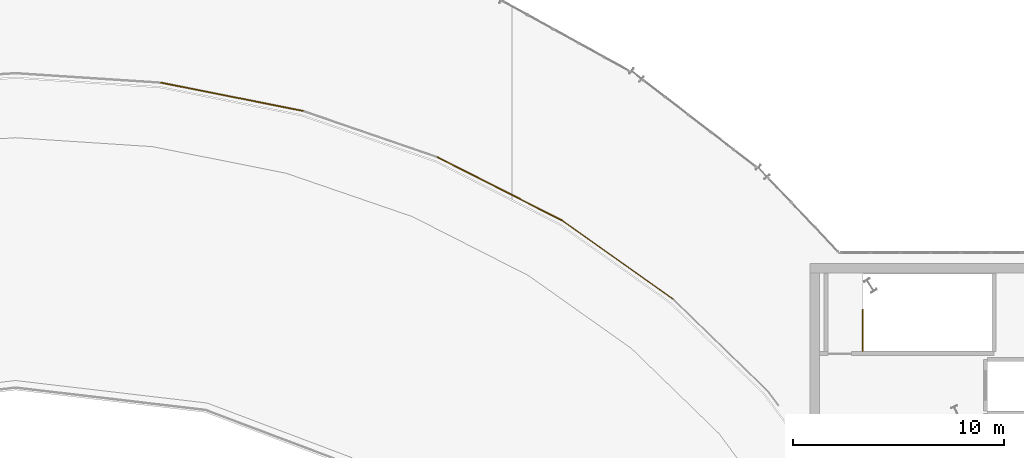
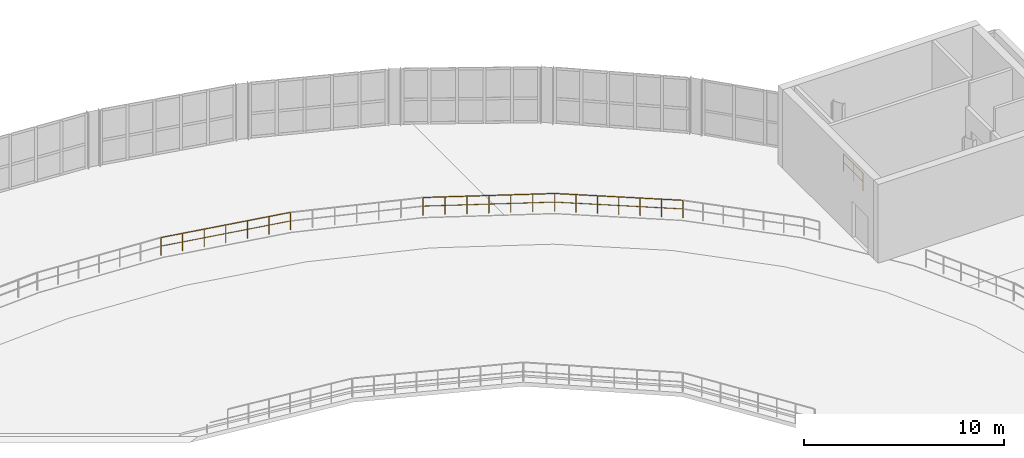
# One storey, part 40 of 40: 4 railings.
"""IFC4 building model written with IfcOpenShell, lengths in metres."""

from ifc_helpers import new_model, si_unit, direction, frame, origin, origin_2d, place, context, subcontext, project, spatial, circle, extrude, material, type_object, element, save


model = new_model("IFC4")

# Units and contexts
model_context = context("Model", 3, precision=1e-05, world=origin(), true_north=direction((0.0, 1.0)))
body_context = subcontext(model_context, "Body", "Model", "MODEL_VIEW")
ifc_project = project(units=[si_unit("LENGTHUNIT", "METRE"), si_unit("AREAUNIT", "SQUARE_METRE"), si_unit("VOLUMEUNIT", "CUBIC_METRE"), si_unit("PLANEANGLEUNIT", "RADIAN"), si_unit("MASSUNIT", "GRAM", prefix="KILO")], contexts=[model_context])

# Site, building, storey
site_placement = place(None, origin())
site = spatial("IfcSite", under=ifc_project, at=site_placement, CompositionType="ELEMENT")
building_placement = place(site_placement, origin())
building = spatial("IfcBuilding", under=site, at=building_placement, Name="Glasvene Arena", CompositionType="ELEMENT")
storey_placement = place(building_placement, frame((0.0, 0.0, 24.0)))
storey = spatial("IfcBuildingStorey", under=building, at=storey_placement, Name="L05", CompositionType="ELEMENT", Elevation=24.0)

# Railings
ifc_material = material(Name="Brushed stainless steel", Category="steel")
railing_type = type_object("IfcRailingType", Name="RL-GUARD-1100", PredefinedType="GUARDRAIL", material=ifc_material)
railing_1_placement = place(storey_placement, frame((132.10009765625, 96.35009765625, 0.0)))
element("IfcRailing", 1, at=railing_1_placement, inside=storey, type_object=railing_type, Name="Stair top landing well guard ST-02", PredefinedType="GUARDRAIL", context=body_context, shape_type="SweptSolid", body=[
    extrude(circle(Radius=0.02392578125, at=origin_2d()), frame((0.0, 0.0, 1.076171875), z_axis=(0.0, 1.0, 0.0), x_axis=(-1.0, 0.0, 0.0)), (0.0, 0.0, 1.0), 1.949951171875),
    extrude(circle(Radius=0.01611328125, at=origin_2d()), frame((0.0, 0.0, 0.550048828125), z_axis=(0.0, 1.0, 0.0), x_axis=(-1.0, 0.0, 0.0)), (0.0, 0.0, 1.0), 1.949951171875),
    extrude(circle(Radius=0.02099609375, at=origin_2d()), origin(), (0.0, 0.0, 1.0), 1.052001953125),
    extrude(circle(Radius=0.02099609375, at=origin_2d()), frame((0.0, 0.97509765625, 0.0)), (0.0, 0.0, 1.0), 1.052001953125),
    extrude(circle(Radius=0.02099609375, at=origin_2d()), frame((0.0, 1.949951171875, 0.0)), (0.0, 0.0, 1.0), 1.052001953125),
])
railing_2_placement = place(storey_placement, frame((123.11279296875, 98.809326171875, 0.0)))
element("IfcRailing", 2, at=railing_2_placement, inside=storey, type_object=railing_type, Name="Safety guardrail GD-GND-L05-2-003", PredefinedType="GUARDRAIL", context=body_context, shape_type="SweptSolid", body=[
    extrude(circle(Radius=0.02392578125, at=origin_2d()), frame((0.0, 0.0, 1.076171875), z_axis=(-0.81596556642, 0.578100505463, 0.0), x_axis=(-0.578100505463, -0.81596556642, 0.0)), (0.0, 0.0, 1.0), 6.434326171875),
    extrude(circle(Radius=0.01611328125, at=origin_2d()), frame((0.0, 0.0, 0.550048828125), z_axis=(-0.81596556642, 0.578100505463, 0.0), x_axis=(-0.578100505463, -0.81596556642, 0.0)), (0.0, 0.0, 1.0), 6.434326171875),
    extrude(circle(Radius=0.02099609375, at=origin_2d()), origin(), (0.0, 0.0, 1.0), 1.052001953125),
    extrude(circle(Radius=0.02099609375, at=origin_2d()), frame((-0.875, 0.619873046875, 0.0)), (0.0, 0.0, 1.0), 1.052001953125),
    extrude(circle(Radius=0.02099609375, at=origin_2d()), frame((-1.75, 1.239990234375, 0.0)), (0.0, 0.0, 1.0), 1.052001953125),
    extrude(circle(Radius=0.02099609375, at=origin_2d()), frame((-2.625, 1.85986328125, 0.0)), (0.0, 0.0, 1.0), 1.052001953125),
    extrude(circle(Radius=0.02099609375, at=origin_2d()), frame((-3.500244140625, 2.479736328125, 0.0)), (0.0, 0.0, 1.0), 1.052001953125),
    extrude(circle(Radius=0.02099609375, at=origin_2d()), frame((-4.375244140625, 3.099853515625, 0.0)), (0.0, 0.0, 1.0), 1.052001953125),
    extrude(circle(Radius=0.02099609375, at=origin_2d()), frame((-5.250244140625, 3.7197265625, 0.0)), (0.0, 0.0, 1.0), 1.052001953125),
])
railing_3_placement = place(storey_placement, frame((117.862548828125, 102.529052734375, 0.0)))
element("IfcRailing", 3, at=railing_3_placement, inside=storey, type_object=railing_type, Name="Safety guardrail GD-GND-L05-2-004", PredefinedType="GUARDRAIL", context=body_context, shape_type="SweptSolid", body=[
    extrude(circle(Radius=0.02392578125, at=origin_2d()), frame((0.0, 0.0, 1.076171875), z_axis=(-0.891427655965, 0.453163032672, 0.0), x_axis=(-0.453163032672, -0.891427655965, 0.0)), (0.0, 0.0, 1.0), 6.60400390625),
    extrude(circle(Radius=0.01611328125, at=origin_2d()), frame((0.0, 0.0, 0.550048828125), z_axis=(-0.891427655965, 0.453163032672, 0.0), x_axis=(-0.453163032672, -0.891427655965, 0.0)), (0.0, 0.0, 1.0), 6.60400390625),
    extrude(circle(Radius=0.02099609375, at=origin_2d()), origin(), (0.0, 0.0, 1.0), 1.052001953125),
    extrude(circle(Radius=0.02099609375, at=origin_2d()), frame((-0.981201171875, 0.498779296875, 0.0)), (0.0, 0.0, 1.0), 1.052001953125),
    extrude(circle(Radius=0.02099609375, at=origin_2d()), frame((-1.96240234375, 0.99755859375, 0.0)), (0.0, 0.0, 1.0), 1.052001953125),
    extrude(circle(Radius=0.02099609375, at=origin_2d()), frame((-2.943359375, 1.496337890625, 0.0)), (0.0, 0.0, 1.0), 1.052001953125),
    extrude(circle(Radius=0.02099609375, at=origin_2d()), frame((-3.924560546875, 1.9951171875, 0.0)), (0.0, 0.0, 1.0), 1.052001953125),
    extrude(circle(Radius=0.02099609375, at=origin_2d()), frame((-4.90576171875, 2.493896484375, 0.0)), (0.0, 0.0, 1.0), 1.052001953125),
    extrude(circle(Radius=0.02099609375, at=origin_2d()), frame((-5.886962890625, 2.99267578125, 0.0)), (0.0, 0.0, 1.0), 1.052001953125),
])
railing_4_placement = place(storey_placement, frame((105.5966796875, 107.713623046875, 0.0)))
element("IfcRailing", 4, at=railing_4_placement, inside=storey, type_object=railing_type, Name="Safety guardrail GD-GND-L05-2-006", PredefinedType="GUARDRAIL", context=body_context, shape_type="SweptSolid", body=[
    extrude(circle(Radius=0.02392578125, at=origin_2d()), frame((0.0, 0.0, 1.076171875), z_axis=(-0.980743570612, 0.195299894275, 0.0), x_axis=(-0.195299894275, -0.980743570612, 0.0)), (0.0, 0.0, 1.0), 6.845458984375),
    extrude(circle(Radius=0.01611328125, at=origin_2d()), frame((0.0, 0.0, 0.550048828125), z_axis=(-0.980743570612, 0.195299894275, 0.0), x_axis=(-0.195299894275, -0.980743570612, 0.0)), (0.0, 0.0, 1.0), 6.845458984375),
    extrude(circle(Radius=0.02099609375, at=origin_2d()), origin(), (0.0, 0.0, 1.0), 1.052001953125),
    extrude(circle(Radius=0.02099609375, at=origin_2d()), frame((-1.118896484375, 0.222900390625, 0.0)), (0.0, 0.0, 1.0), 1.052001953125),
    extrude(circle(Radius=0.02099609375, at=origin_2d()), frame((-2.23779296875, 0.445556640625, 0.0)), (0.0, 0.0, 1.0), 1.052001953125),
    extrude(circle(Radius=0.02099609375, at=origin_2d()), frame((-3.35693359375, 0.66845703125, 0.0)), (0.0, 0.0, 1.0), 1.052001953125),
    extrude(circle(Radius=0.02099609375, at=origin_2d()), frame((-4.475830078125, 0.891357421875, 0.0)), (0.0, 0.0, 1.0), 1.052001953125),
    extrude(circle(Radius=0.02099609375, at=origin_2d()), frame((-5.5947265625, 1.114013671875, 0.0)), (0.0, 0.0, 1.0), 1.052001953125),
    extrude(circle(Radius=0.02099609375, at=origin_2d()), frame((-6.713623046875, 1.3369140625, 0.0)), (0.0, 0.0, 1.0), 1.052001953125),
])

save(model, "model.ifc")
